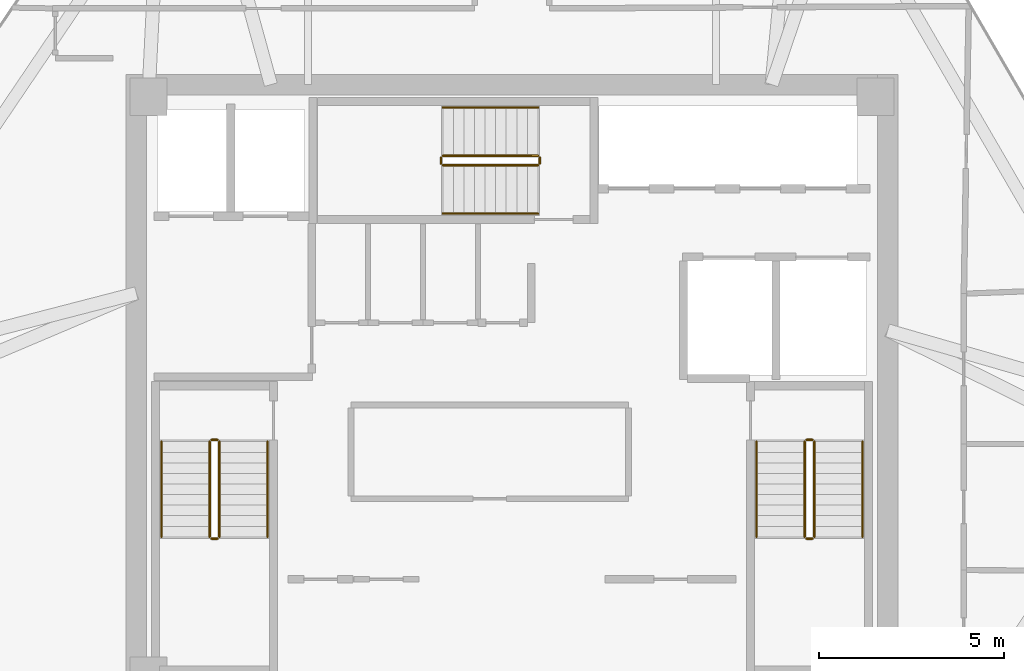
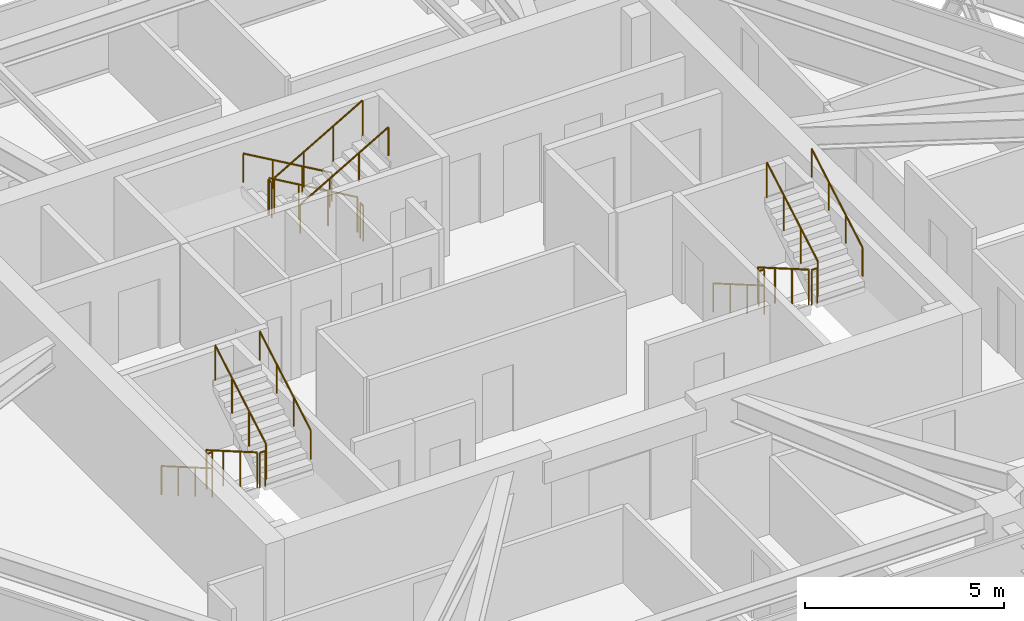
# One storey, part 12 of 12: 18 railings.
"""IFC4 building model written with IfcOpenShell, lengths in metres."""

from ifc_helpers import new_model, si_unit, direction, frame, origin, origin_2d, place, context, subcontext, project, spatial, circle, extrude, material, type_object, element, save


model = new_model("IFC4")

# Units and contexts
model_context = context("Model", 3, precision=1e-05, world=origin(), true_north=direction((0.0, 1.0)))
body_context = subcontext(model_context, "Body", "Model", "MODEL_VIEW")
ifc_project = project(units=[si_unit("LENGTHUNIT", "METRE"), si_unit("AREAUNIT", "SQUARE_METRE"), si_unit("VOLUMEUNIT", "CUBIC_METRE"), si_unit("PLANEANGLEUNIT", "RADIAN"), si_unit("MASSUNIT", "GRAM", prefix="KILO")], contexts=[model_context])

# Site, building, storey
site_placement = place(None, origin())
site = spatial("IfcSite", under=ifc_project, at=site_placement, CompositionType="ELEMENT")
building_placement = place(site_placement, origin())
building = spatial("IfcBuilding", under=site, at=building_placement, Name="Durnholm Broadcast Tower", CompositionType="ELEMENT")
storey_placement = place(building_placement, frame((0.0, 0.0, 221.60009765625)))
storey = spatial("IfcBuildingStorey", under=building, at=storey_placement, Name="L61", CompositionType="ELEMENT", Elevation=221.60009765625)

# Railings
ifc_material_1 = material(Name="Painted Tubular Steel Stair Guardrail", Category="steel")
railing_type_1 = type_object("IfcRailingType", Name="RAIL-ST-GRD", PredefinedType="GUARDRAIL", material=ifc_material_1)
railing_1_placement = place(storey_placement, frame((-8.14990234375, -1.5, 0.164794921875)))
element("IfcRailing", 1, at=railing_1_placement, inside=storey, type_object=railing_type_1, Name="L61 ST-1 stair guard 1", PredefinedType="GUARDRAIL", context=body_context, shape_type="SweptSolid", body=[
    extrude(circle(Radius=0.02392578125, at=origin_2d()), frame((0.0, 0.0, 1.076171875), z_axis=(0.0, -0.865405606168, 0.501071987656), x_axis=(1.0, 0.0, 0.0)), (0.0, 0.0, 1.0), 2.9638671875),
    extrude(circle(Radius=0.02099609375, at=origin_2d()), origin(), (0.0, 0.0, 1.0), 1.052001953125),
    extrude(circle(Radius=0.02099609375, at=origin_2d()), frame((0.0, -0.85498046875, 0.4951171875)), (0.0, 0.0, 1.0), 1.052001953125),
    extrude(circle(Radius=0.02099609375, at=origin_2d()), frame((0.0, -1.7099609375, 0.989990234375)), (0.0, 0.0, 1.0), 1.052001953125),
    extrude(circle(Radius=0.02099609375, at=origin_2d()), frame((0.0, -2.56494140625, 1.485107421875)), (0.0, 0.0, 1.0), 1.052001953125),
])
railing_2_placement = place(storey_placement, frame((-8.10009765625, -4.114990234375, 1.64990234375)))
element("IfcRailing", 2, at=railing_2_placement, inside=storey, type_object=railing_type_1, Name="L61 ST-1 stair guard 2", PredefinedType="GUARDRAIL", context=body_context, shape_type="SweptSolid", body=[
    extrude(circle(Radius=0.02392578125, at=origin_2d()), frame((0.0, 0.0, 1.076171875), z_axis=(1.0, 0.0, 0.0), x_axis=(0.0, 1.0, 0.0)), (0.0, 0.0, 1.0), 0.16015625),
    extrude(circle(Radius=0.02099609375, at=origin_2d()), origin(), (0.0, 0.0, 1.0), 1.052001953125),
    extrude(circle(Radius=0.02099609375, at=origin_2d()), frame((0.16015625, 0.0, 0.0)), (0.0, 0.0, 1.0), 1.052001953125),
])
railing_3_placement = place(storey_placement, frame((-7.889892578125, -4.06494140625, 1.81494140625)))
element("IfcRailing", 3, at=railing_3_placement, inside=storey, type_object=railing_type_1, Name="L61 ST-1 stair guard 3", PredefinedType="GUARDRAIL", context=body_context, shape_type="SweptSolid", body=[
    extrude(circle(Radius=0.02392578125, at=origin_2d()), frame((0.0, 0.0, 1.076171875), z_axis=(0.0, 0.865441324677, 0.50101029285), x_axis=(-1.0, 0.0, 0.0)), (0.0, 0.0, 1.0), 2.963623046875),
    extrude(circle(Radius=0.02099609375, at=origin_2d()), origin(), (0.0, 0.0, 1.0), 1.052001953125),
    extrude(circle(Radius=0.02099609375, at=origin_2d()), frame((0.0, 0.85498046875, 0.494873046875)), (0.0, 0.0, 1.0), 1.052001953125),
    extrude(circle(Radius=0.02099609375, at=origin_2d()), frame((0.0, 1.7099609375, 0.989990234375)), (0.0, 0.0, 1.0), 1.052001953125),
    extrude(circle(Radius=0.02099609375, at=origin_2d()), frame((0.0, 2.56494140625, 1.48486328125)), (0.0, 0.0, 1.0), 1.052001953125),
])
railing_4_placement = place(storey_placement, frame((-8.10009765625, -1.449951171875, 0.0)))
element("IfcRailing", 4, at=railing_4_placement, inside=storey, type_object=railing_type_1, Name="L61 ST-1 stair guard 4", PredefinedType="GUARDRAIL", context=body_context, shape_type="SweptSolid", body=[
    extrude(circle(Radius=0.02392578125, at=origin_2d()), frame((0.0, 0.0, 1.076171875), z_axis=(1.0, 0.0, 0.0), x_axis=(0.0, 1.0, 0.0)), (0.0, 0.0, 1.0), 0.16015625),
    extrude(circle(Radius=0.02099609375, at=origin_2d()), origin(), (0.0, 0.0, 1.0), 1.052001953125),
    extrude(circle(Radius=0.02099609375, at=origin_2d()), frame((0.16015625, 0.0, 0.0)), (0.0, 0.0, 1.0), 1.052001953125),
])
railing_5_placement = place(storey_placement, frame((7.889892578125, -1.5, 0.164794921875)))
element("IfcRailing", 5, at=railing_5_placement, inside=storey, type_object=railing_type_1, Name="L61 ST-2 stair guard 1", PredefinedType="GUARDRAIL", context=body_context, shape_type="SweptSolid", body=[
    extrude(circle(Radius=0.02392578125, at=origin_2d()), frame((0.0, 0.0, 1.076171875), z_axis=(0.0, -0.865405606168, 0.501071987656), x_axis=(1.0, 0.0, 0.0)), (0.0, 0.0, 1.0), 2.9638671875),
    extrude(circle(Radius=0.02099609375, at=origin_2d()), origin(), (0.0, 0.0, 1.0), 1.052001953125),
    extrude(circle(Radius=0.02099609375, at=origin_2d()), frame((0.0, -0.85498046875, 0.4951171875)), (0.0, 0.0, 1.0), 1.052001953125),
    extrude(circle(Radius=0.02099609375, at=origin_2d()), frame((0.0, -1.7099609375, 0.989990234375)), (0.0, 0.0, 1.0), 1.052001953125),
    extrude(circle(Radius=0.02099609375, at=origin_2d()), frame((0.0, -2.56494140625, 1.485107421875)), (0.0, 0.0, 1.0), 1.052001953125),
])
railing_6_placement = place(storey_placement, frame((7.93994140625, -4.114990234375, 1.64990234375)))
element("IfcRailing", 6, at=railing_6_placement, inside=storey, type_object=railing_type_1, Name="L61 ST-2 stair guard 2", PredefinedType="GUARDRAIL", context=body_context, shape_type="SweptSolid", body=[
    extrude(circle(Radius=0.02392578125, at=origin_2d()), frame((0.0, 0.0, 1.076171875), z_axis=(1.0, 0.0, 0.0), x_axis=(0.0, 1.0, 0.0)), (0.0, 0.0, 1.0), 0.16015625),
    extrude(circle(Radius=0.02099609375, at=origin_2d()), origin(), (0.0, 0.0, 1.0), 1.052001953125),
    extrude(circle(Radius=0.02099609375, at=origin_2d()), frame((0.16015625, 0.0, 0.0)), (0.0, 0.0, 1.0), 1.052001953125),
])
railing_7_placement = place(storey_placement, frame((8.14990234375, -4.06494140625, 1.81494140625)))
element("IfcRailing", 7, at=railing_7_placement, inside=storey, type_object=railing_type_1, Name="L61 ST-2 stair guard 3", PredefinedType="GUARDRAIL", context=body_context, shape_type="SweptSolid", body=[
    extrude(circle(Radius=0.02392578125, at=origin_2d()), frame((0.0, 0.0, 1.076171875), z_axis=(0.0, 0.865441324677, 0.50101029285), x_axis=(-1.0, 0.0, 0.0)), (0.0, 0.0, 1.0), 2.963623046875),
    extrude(circle(Radius=0.02099609375, at=origin_2d()), origin(), (0.0, 0.0, 1.0), 1.052001953125),
    extrude(circle(Radius=0.02099609375, at=origin_2d()), frame((0.0, 0.85498046875, 0.494873046875)), (0.0, 0.0, 1.0), 1.052001953125),
    extrude(circle(Radius=0.02099609375, at=origin_2d()), frame((0.0, 1.7099609375, 0.989990234375)), (0.0, 0.0, 1.0), 1.052001953125),
    extrude(circle(Radius=0.02099609375, at=origin_2d()), frame((0.0, 2.56494140625, 1.48486328125)), (0.0, 0.0, 1.0), 1.052001953125),
])
railing_8_placement = place(storey_placement, frame((7.93994140625, -1.449951171875, 0.0)))
element("IfcRailing", 8, at=railing_8_placement, inside=storey, type_object=railing_type_1, Name="L61 ST-2 stair guard 4", PredefinedType="GUARDRAIL", context=body_context, shape_type="SweptSolid", body=[
    extrude(circle(Radius=0.02392578125, at=origin_2d()), frame((0.0, 0.0, 1.076171875), z_axis=(1.0, 0.0, 0.0), x_axis=(0.0, 1.0, 0.0)), (0.0, 0.0, 1.0), 0.16015625),
    extrude(circle(Radius=0.02099609375, at=origin_2d()), origin(), (0.0, 0.0, 1.0), 1.052001953125),
    extrude(circle(Radius=0.02099609375, at=origin_2d()), frame((0.16015625, 0.0, 0.0)), (0.0, 0.0, 1.0), 1.052001953125),
])
railing_9_placement = place(storey_placement, frame((0.699951171875, 6.2099609375, 0.164794921875)))
element("IfcRailing", 9, at=railing_9_placement, inside=storey, type_object=railing_type_1, Name="L61 ST-3 stair guard 1", PredefinedType="GUARDRAIL", context=body_context, shape_type="SweptSolid", body=[
    extrude(circle(Radius=0.02392578125, at=origin_2d()), frame((0.0, 0.0, 1.076171875), z_axis=(-0.865405606168, 0.0, 0.501071987656), x_axis=(0.0, -1.0, 0.0)), (0.0, 0.0, 1.0), 2.9638671875),
    extrude(circle(Radius=0.02099609375, at=origin_2d()), origin(), (0.0, 0.0, 1.0), 1.052001953125),
    extrude(circle(Radius=0.02099609375, at=origin_2d()), frame((-0.85498046875, 0.0, 0.4951171875)), (0.0, 0.0, 1.0), 1.052001953125),
    extrude(circle(Radius=0.02099609375, at=origin_2d()), frame((-1.7099609375, 0.0, 0.989990234375)), (0.0, 0.0, 1.0), 1.052001953125),
    extrude(circle(Radius=0.02099609375, at=origin_2d()), frame((-2.56494140625, 0.0, 1.485107421875)), (0.0, 0.0, 1.0), 1.052001953125),
])
railing_10_placement = place(storey_placement, frame((-1.9150390625, 6.159912109375, 1.64990234375)))
element("IfcRailing", 10, at=railing_10_placement, inside=storey, type_object=railing_type_1, Name="L61 ST-3 stair guard 2", PredefinedType="GUARDRAIL", context=body_context, shape_type="SweptSolid", body=[
    extrude(circle(Radius=0.02392578125, at=origin_2d()), frame((0.0, 0.0, 1.076171875), z_axis=(0.0, -1.0, 0.0), x_axis=(1.0, 0.0, 0.0)), (0.0, 0.0, 1.0), 0.159912109375),
    extrude(circle(Radius=0.02099609375, at=origin_2d()), origin(), (0.0, 0.0, 1.0), 1.052001953125),
    extrude(circle(Radius=0.02099609375, at=origin_2d()), frame((0.0, -0.159912109375, 0.0)), (0.0, 0.0, 1.0), 1.052001953125),
])
railing_11_placement = place(storey_placement, frame((-1.864990234375, 5.949951171875, 1.81494140625)))
element("IfcRailing", 11, at=railing_11_placement, inside=storey, type_object=railing_type_1, Name="L61 ST-3 stair guard 3", PredefinedType="GUARDRAIL", context=body_context, shape_type="SweptSolid", body=[
    extrude(circle(Radius=0.02392578125, at=origin_2d()), frame((0.0, 0.0, 1.076171875), z_axis=(0.865441324677, 0.0, 0.50101029285), x_axis=(0.0, 1.0, 0.0)), (0.0, 0.0, 1.0), 2.963623046875),
    extrude(circle(Radius=0.02099609375, at=origin_2d()), origin(), (0.0, 0.0, 1.0), 1.052001953125),
    extrude(circle(Radius=0.02099609375, at=origin_2d()), frame((0.85498046875, 0.0, 0.494873046875)), (0.0, 0.0, 1.0), 1.052001953125),
    extrude(circle(Radius=0.02099609375, at=origin_2d()), frame((1.7099609375, 0.0, 0.989990234375)), (0.0, 0.0, 1.0), 1.052001953125),
    extrude(circle(Radius=0.02099609375, at=origin_2d()), frame((2.56494140625, 0.0, 1.48486328125)), (0.0, 0.0, 1.0), 1.052001953125),
])
railing_12_placement = place(storey_placement, frame((0.75, 6.159912109375, 0.0)))
element("IfcRailing", 12, at=railing_12_placement, inside=storey, type_object=railing_type_1, Name="L61 ST-3 stair guard 4", PredefinedType="GUARDRAIL", context=body_context, shape_type="SweptSolid", body=[
    extrude(circle(Radius=0.02392578125, at=origin_2d()), frame((0.0, 0.0, 1.076171875), z_axis=(0.0, -1.0, 0.0), x_axis=(1.0, 0.0, 0.0)), (0.0, 0.0, 1.0), 0.159912109375),
    extrude(circle(Radius=0.02099609375, at=origin_2d()), origin(), (0.0, 0.0, 1.0), 1.052001953125),
    extrude(circle(Radius=0.02099609375, at=origin_2d()), frame((0.0, -0.159912109375, 0.0)), (0.0, 0.0, 1.0), 1.052001953125),
])
ifc_material_2 = material(Name="Brushed Stainless Steel Handrail", Category="steel")
railing_type_2 = type_object("IfcRailingType", Name="RAIL-ST-HND", PredefinedType="HANDRAIL", material=ifc_material_2)
railing_13_placement = place(storey_placement, frame((-9.449951171875, -1.5, 0.329833984375)))
element("IfcRailing", 13, at=railing_13_placement, inside=storey, type_object=railing_type_2, Name="L61 ST-1 stair handrail 1", PredefinedType="HANDRAIL", context=body_context, shape_type="SweptSolid", body=[
    extrude(circle(Radius=0.02392578125, at=origin_2d()), frame((0.0, 0.0, 0.8759765625), z_axis=(0.0, -0.865405606168, 0.501071987656), x_axis=(1.0, 0.0, 0.0)), (0.0, 0.0, 1.0), 2.9638671875),
    extrude(circle(Radius=0.02099609375, at=origin_2d()), origin(), (0.0, 0.0, 1.0), 0.851806640625),
    extrude(circle(Radius=0.02099609375, at=origin_2d()), frame((0.0, -0.85498046875, 0.4951171875)), (0.0, 0.0, 1.0), 0.851806640625),
    extrude(circle(Radius=0.02099609375, at=origin_2d()), frame((0.0, -1.7099609375, 0.989990234375)), (0.0, 0.0, 1.0), 0.851806640625),
    extrude(circle(Radius=0.02099609375, at=origin_2d()), frame((0.0, -2.56494140625, 1.485107421875)), (0.0, 0.0, 1.0), 0.851806640625),
])
railing_14_placement = place(storey_placement, frame((-6.590087890625, -4.06494140625, 1.97998046875)))
element("IfcRailing", 14, at=railing_14_placement, inside=storey, type_object=railing_type_2, Name="L61 ST-1 stair handrail 2", PredefinedType="HANDRAIL", context=body_context, shape_type="SweptSolid", body=[
    extrude(circle(Radius=0.02392578125, at=origin_2d()), frame((0.0, 0.0, 0.8759765625), z_axis=(0.0, 0.865441324677, 0.50101029285), x_axis=(-1.0, 0.0, 0.0)), (0.0, 0.0, 1.0), 2.963623046875),
    extrude(circle(Radius=0.02099609375, at=origin_2d()), origin(), (0.0, 0.0, 1.0), 0.851806640625),
    extrude(circle(Radius=0.02099609375, at=origin_2d()), frame((0.0, 0.85498046875, 0.494873046875)), (0.0, 0.0, 1.0), 0.851806640625),
    extrude(circle(Radius=0.02099609375, at=origin_2d()), frame((0.0, 1.7099609375, 0.989990234375)), (0.0, 0.0, 1.0), 0.851806640625),
    extrude(circle(Radius=0.02099609375, at=origin_2d()), frame((0.0, 2.56494140625, 1.48486328125)), (0.0, 0.0, 1.0), 0.851806640625),
])
railing_15_placement = place(storey_placement, frame((6.590087890625, -1.5, 0.329833984375)))
element("IfcRailing", 15, at=railing_15_placement, inside=storey, type_object=railing_type_2, Name="L61 ST-2 stair handrail 1", PredefinedType="HANDRAIL", context=body_context, shape_type="SweptSolid", body=[
    extrude(circle(Radius=0.02392578125, at=origin_2d()), frame((0.0, 0.0, 0.8759765625), z_axis=(0.0, -0.865405606168, 0.501071987656), x_axis=(1.0, 0.0, 0.0)), (0.0, 0.0, 1.0), 2.9638671875),
    extrude(circle(Radius=0.02099609375, at=origin_2d()), origin(), (0.0, 0.0, 1.0), 0.851806640625),
    extrude(circle(Radius=0.02099609375, at=origin_2d()), frame((0.0, -0.85498046875, 0.4951171875)), (0.0, 0.0, 1.0), 0.851806640625),
    extrude(circle(Radius=0.02099609375, at=origin_2d()), frame((0.0, -1.7099609375, 0.989990234375)), (0.0, 0.0, 1.0), 0.851806640625),
    extrude(circle(Radius=0.02099609375, at=origin_2d()), frame((0.0, -2.56494140625, 1.485107421875)), (0.0, 0.0, 1.0), 0.851806640625),
])
railing_16_placement = place(storey_placement, frame((9.449951171875, -4.06494140625, 1.97998046875)))
element("IfcRailing", 16, at=railing_16_placement, inside=storey, type_object=railing_type_2, Name="L61 ST-2 stair handrail 2", PredefinedType="HANDRAIL", context=body_context, shape_type="SweptSolid", body=[
    extrude(circle(Radius=0.02392578125, at=origin_2d()), frame((0.0, 0.0, 0.8759765625), z_axis=(0.0, 0.865441324677, 0.50101029285), x_axis=(-1.0, 0.0, 0.0)), (0.0, 0.0, 1.0), 2.963623046875),
    extrude(circle(Radius=0.02099609375, at=origin_2d()), origin(), (0.0, 0.0, 1.0), 0.851806640625),
    extrude(circle(Radius=0.02099609375, at=origin_2d()), frame((0.0, 0.85498046875, 0.494873046875)), (0.0, 0.0, 1.0), 0.851806640625),
    extrude(circle(Radius=0.02099609375, at=origin_2d()), frame((0.0, 1.7099609375, 0.989990234375)), (0.0, 0.0, 1.0), 0.851806640625),
    extrude(circle(Radius=0.02099609375, at=origin_2d()), frame((0.0, 2.56494140625, 1.48486328125)), (0.0, 0.0, 1.0), 0.851806640625),
])
railing_17_placement = place(storey_placement, frame((0.699951171875, 7.510009765625, 0.329833984375)))
element("IfcRailing", 17, at=railing_17_placement, inside=storey, type_object=railing_type_2, Name="L61 ST-3 stair handrail 1", PredefinedType="HANDRAIL", context=body_context, shape_type="SweptSolid", body=[
    extrude(circle(Radius=0.02392578125, at=origin_2d()), frame((0.0, 0.0, 0.8759765625), z_axis=(-0.865405606168, 0.0, 0.501071987656), x_axis=(0.0, -1.0, 0.0)), (0.0, 0.0, 1.0), 2.9638671875),
    extrude(circle(Radius=0.02099609375, at=origin_2d()), origin(), (0.0, 0.0, 1.0), 0.851806640625),
    extrude(circle(Radius=0.02099609375, at=origin_2d()), frame((-0.85498046875, 0.0, 0.4951171875)), (0.0, 0.0, 1.0), 0.851806640625),
    extrude(circle(Radius=0.02099609375, at=origin_2d()), frame((-1.7099609375, 0.0, 0.989990234375)), (0.0, 0.0, 1.0), 0.851806640625),
    extrude(circle(Radius=0.02099609375, at=origin_2d()), frame((-2.56494140625, 0.0, 1.485107421875)), (0.0, 0.0, 1.0), 0.851806640625),
])
railing_18_placement = place(storey_placement, frame((-1.864990234375, 4.64990234375, 1.97998046875)))
element("IfcRailing", 18, at=railing_18_placement, inside=storey, type_object=railing_type_2, Name="L61 ST-3 stair handrail 2", PredefinedType="HANDRAIL", context=body_context, shape_type="SweptSolid", body=[
    extrude(circle(Radius=0.02392578125, at=origin_2d()), frame((0.0, 0.0, 0.8759765625), z_axis=(0.865441324677, 0.0, 0.50101029285), x_axis=(0.0, 1.0, 0.0)), (0.0, 0.0, 1.0), 2.963623046875),
    extrude(circle(Radius=0.02099609375, at=origin_2d()), origin(), (0.0, 0.0, 1.0), 0.851806640625),
    extrude(circle(Radius=0.02099609375, at=origin_2d()), frame((0.85498046875, 0.0, 0.494873046875)), (0.0, 0.0, 1.0), 0.851806640625),
    extrude(circle(Radius=0.02099609375, at=origin_2d()), frame((1.7099609375, 0.0, 0.989990234375)), (0.0, 0.0, 1.0), 0.851806640625),
    extrude(circle(Radius=0.02099609375, at=origin_2d()), frame((2.56494140625, 0.0, 1.48486328125)), (0.0, 0.0, 1.0), 0.851806640625),
])

save(model, "model.ifc")
